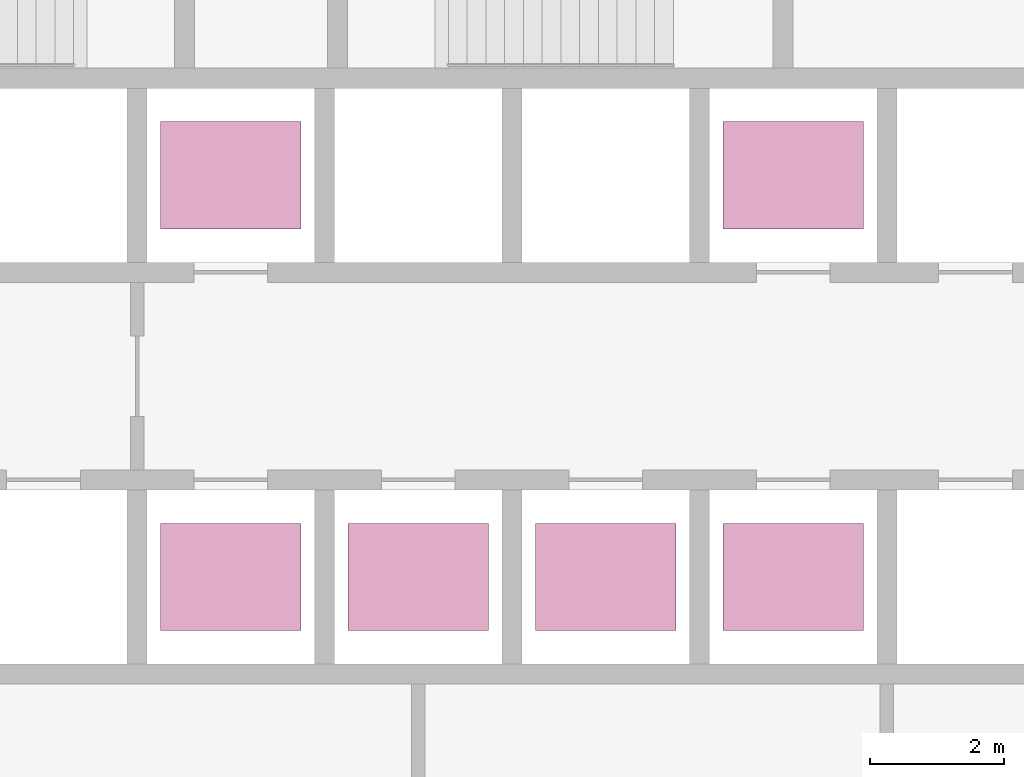
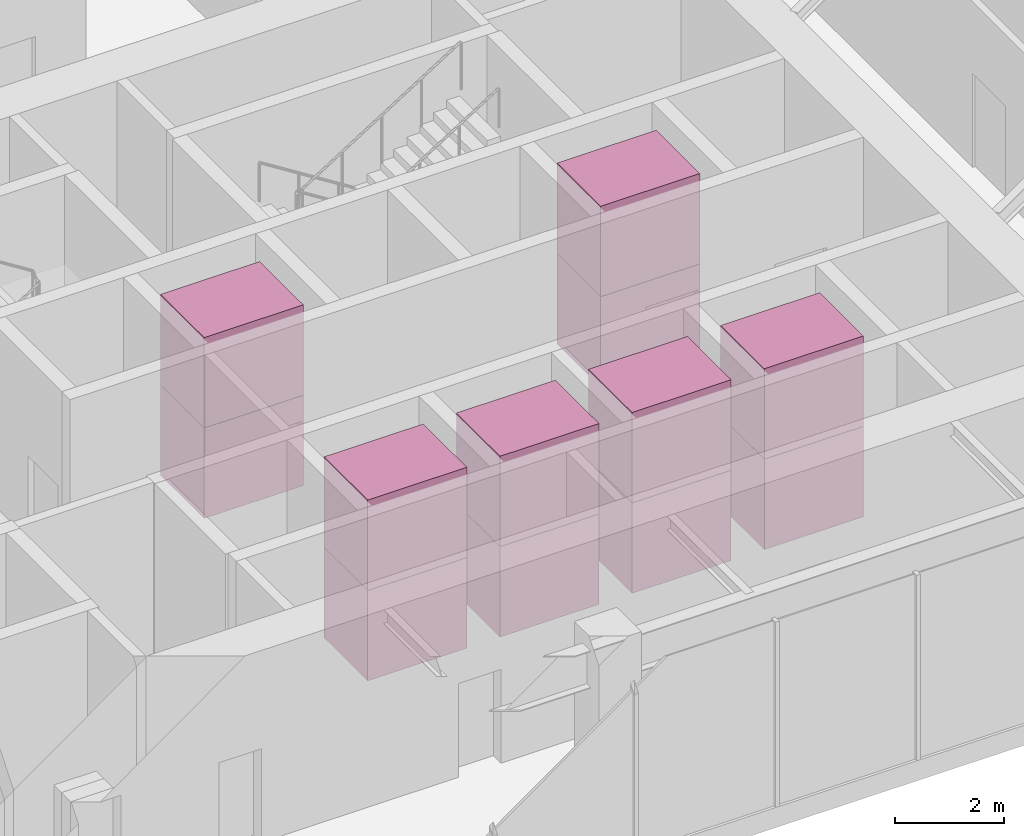
# One storey, part 29 of 29: 12 transport elements.
"""IFC4 building model written with IfcOpenShell, lengths in metres."""

from ifc_helpers import new_model, si_unit, direction, frame, origin, origin_2d, place, context, subcontext, project, spatial, rectangle, extrude, material, type_object, element, save


model = new_model("IFC4")

# Units and contexts
model_context = context("Model", 3, precision=1e-05, world=origin(), true_north=direction((0.0, 1.0)))
body_context = subcontext(model_context, "Body", "Model", "MODEL_VIEW")
ifc_project = project(units=[si_unit("LENGTHUNIT", "METRE"), si_unit("AREAUNIT", "SQUARE_METRE"), si_unit("VOLUMEUNIT", "CUBIC_METRE"), si_unit("PLANEANGLEUNIT", "RADIAN"), si_unit("MASSUNIT", "GRAM", prefix="KILO")], contexts=[model_context])

# Site, building, storey
site_placement = place(None, origin())
site = spatial("IfcSite", under=ifc_project, at=site_placement, CompositionType="ELEMENT")
building_placement = place(site_placement, origin())
building = spatial("IfcBuilding", under=site, at=building_placement, Name="Firuza Gate Tower and Library", CompositionType="ELEMENT")
storey_placement = place(building_placement, frame((0.0, 0.0, 17.199951171875)))
storey = spatial("IfcBuildingStorey", under=building, at=storey_placement, Name="L03", CompositionType="ELEMENT", Elevation=17.199951171875)

# Transport elements
ifc_material = material(Name="Stainless steel and glass", Category="steel")
transport_element_type = type_object("IfcTransportElementType", Name="Low-rise lift car 2100x1600", PredefinedType="ELEVATOR", material=ifc_material)
for number, where, z_axis, x_axis, name in (
    (1, (74.64990234375, 70.300048828125, 0.0), (0.0, 0.0, 1.0), (1.0, 0.0, 0.0), "Low-rise lift LR1"),
    (2, (74.64990234375, 70.300048828125, 2.025146484375), (0.0, 0.0, 1.0), (1.0, 0.0, 0.0), "Low-rise lift LR1"),
    (3, (77.449951171875, 70.300048828125, 0.0), (0.0, 0.0, 1.0), (1.0, 0.0, 0.0), "Low-rise lift LR2"),
    (4, (77.449951171875, 70.300048828125, 2.025146484375), (0.0, 0.0, 1.0), (1.0, 0.0, 0.0), "Low-rise lift LR2"),
    (5, (80.25, 70.300048828125, 0.0), (0.0, 0.0, 1.0), (1.0, 0.0, 0.0), "Low-rise lift LR3"),
    (6, (80.25, 70.300048828125, 2.025146484375), (0.0, 0.0, 1.0), (1.0, 0.0, 0.0), "Low-rise lift LR3"),
    (7, (74.64990234375, 76.300048828125, 0.0), (0.0, 0.0, 1.0), (1.0, 0.0, 0.0), "Low-rise lift LR4"),
    (8, (74.64990234375, 76.300048828125, 2.025146484375), (0.0, 0.0, 1.0), (1.0, 0.0, 0.0), "Low-rise lift LR4"),
    (9, (83.050048828125, 70.300048828125, 0.0), (0.0, 0.0, 1.0), (1.0, 0.0, 0.0), "Low-rise lift LR5"),
    (10, (83.050048828125, 70.300048828125, 2.025146484375), (0.0, 0.0, 1.0), (1.0, 0.0, 0.0), "Low-rise lift LR5"),
    (11, (83.050048828125, 76.300048828125, 0.0), (0.0, 0.0, 1.0), (1.0, 0.0, 0.0), "Low-rise lift LR6"),
    (12, (83.050048828125, 76.300048828125, 2.025146484375), (0.0, 0.0, 1.0), (1.0, 0.0, 0.0), "Low-rise lift LR6"),
):
    element("IfcTransportElement", number, at=place(storey_placement, frame(where, z_axis=z_axis, x_axis=x_axis)), inside=storey, type_object=transport_element_type, Name=name, PredefinedType="ELEVATOR", context=body_context, shape_type="SweptSolid", body=[
        extrude(rectangle(XDim=2.10009765625, YDim=1.60009765625, at=origin_2d()), origin(), (0.0, 0.0, 1.0), 2.02490234375),
    ])

save(model, "model.ifc")
